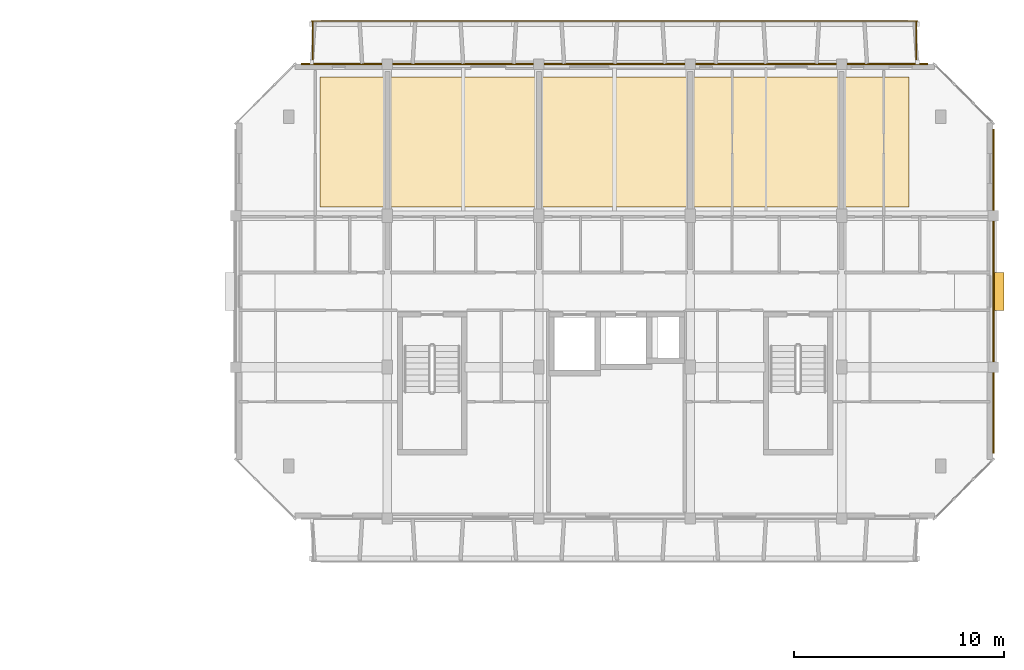
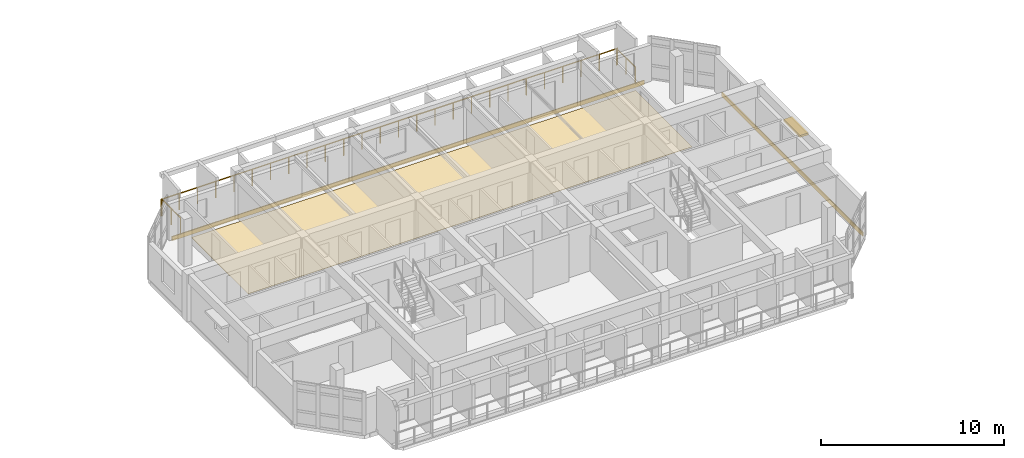
# One storey, part 45 of 45: 3 coverings, 3 railings, 1 shading device.
"""IFC4 building model written with IfcOpenShell, lengths in metres."""

from ifc_helpers import new_model, si_unit, direction, frame, origin, origin_2d, place, context, subcontext, project, spatial, polyline, rectangle, circle, outline, extrude, material, layer, layer_set, type_object, element, save


model = new_model("IFC4")

# Units and contexts
model_context = context("Model", 3, precision=1e-05, world=origin(), true_north=direction((0.0, 1.0)))
body_context = subcontext(model_context, "Body", "Model", "MODEL_VIEW")
ifc_project = project(units=[si_unit("LENGTHUNIT", "METRE"), si_unit("AREAUNIT", "SQUARE_METRE"), si_unit("VOLUMEUNIT", "CUBIC_METRE"), si_unit("PLANEANGLEUNIT", "RADIAN"), si_unit("MASSUNIT", "GRAM", prefix="KILO")], contexts=[model_context])

# Site, building, storey
site_placement = place(None, origin())
site = spatial("IfcSite", under=ifc_project, at=site_placement, CompositionType="ELEMENT")
building_placement = place(site_placement, origin())
building = spatial("IfcBuilding", under=site, at=building_placement, Name="Ochrevale Crest", CompositionType="ELEMENT")
storey_placement = place(building_placement, frame((0.0, 0.0, 18.14990234375)))
storey = spatial("IfcBuildingStorey", under=building, at=storey_placement, Name="L05", CompositionType="ELEMENT", Elevation=18.14990234375)

# Coverings
ifc_material_1 = material(Name="Glazed terracotta rainscreen tile", Category="masonry")
ifc_layer_1 = layer(ifc_material_1, 0.048095703125)
ifc_layer_set_1 = layer_set([ifc_layer_1], Name="Glazed terracotta rainscreen tile")
covering_type_1 = type_object("IfcCoveringType", Name="COV-CLAD-TER", PredefinedType="CLADDING", material=ifc_layer_set_1)
covering_1_placement = place(storey_placement, frame((165.614501953125, 82.800048828125, -0.259765625), z_axis=(0.0, 0.0, 1.0), x_axis=(0.0, 1.0, 0.0)))
element("IfcCovering", 1, at=covering_1_placement, inside=storey, type_object=covering_type_1, Name="Block D L05 terracotta slab-edge spandrel cladding", PredefinedType="CLADDING", context=body_context, shape_type="SweptSolid", body=[
    extrude(rectangle(XDim=15.39990234375, YDim=0.06005859375, at=origin_2d()), origin(), (0.0, 0.0, 1.0), 0.280029296875),
])
covering_2_placement = place(storey_placement, frame((147.60009765625, 93.612548828125, -0.259765625), z_axis=(0.0, 0.0, 1.0), x_axis=(-1.0, 0.0, 0.0)))
element("IfcCovering", 2, at=covering_2_placement, inside=storey, type_object=covering_type_1, Name="Block D L05 terracotta slab-edge spandrel cladding", PredefinedType="CLADDING", context=body_context, shape_type="SweptSolid", body=[
    extrude(rectangle(XDim=29.800048828125, YDim=0.06005859375, at=origin_2d()), origin(), (0.0, 0.0, 1.0), 0.280029296875),
])
ifc_material_2 = material(Name="Engineered spotted-gum hardwood flooring", Category="wood")
ifc_layer_2 = layer(ifc_material_2, 0.02001953125)
ifc_layer_set_2 = layer_set([ifc_layer_2], Name="Engineered spotted-gum hardwood flooring")
covering_type_2 = type_object("IfcCoveringType", Name="COV-FLR-TIM", PredefinedType="FLOORING", material=ifc_layer_set_2)
covering_3_placement = place(storey_placement, origin())
element("IfcCovering", 3, at=covering_3_placement, inside=storey, type_object=covering_type_2, Name="Block D L05 spotted-gum apartment flooring", PredefinedType="FLOORING", context=body_context, shape_type="SweptSolid", body=[
    extrude(outline(polyline([(133.60009765625, 86.800048828125), (161.60009765625, 86.800048828125), (161.60009765625, 93.0), (133.60009765625, 93.0), (133.60009765625, 86.800048828125)])), origin(), (0.0, 0.0, 1.0), 0.02001953125),
])

# Railings
ifc_material_3 = material(Name="Galvanised steel", Category="steel")
railing_type = type_object("IfcRailingType", Name="RL-BAL-1100", PredefinedType="BALUSTRADE", material=ifc_material_3)
railing_placement = place(storey_placement, frame((133.199951171875, 95.639892578125, 0.0)))
element("IfcRailing", 4, at=railing_placement, inside=storey, type_object=railing_type, Name="Block D L05 N balcony front balustrade", PredefinedType="BALUSTRADE", context=body_context, shape_type="SweptSolid", body=[
    extrude(circle(Radius=0.02392578125, at=origin_2d()), frame((0.0, 0.0, 1.0859375), z_axis=(1.0, 0.0, 0.0), x_axis=(0.0, 1.0, 0.0)), (0.0, 0.0, 1.0), 28.800048828125),
    extrude(circle(Radius=0.02099609375, at=origin_2d()), origin(), (0.0, 0.0, 1.0), 1.06201171875),
    extrude(circle(Radius=0.02099609375, at=origin_2d()), frame((1.152099609375, 0.0, 0.0)), (0.0, 0.0, 1.0), 1.06201171875),
    extrude(circle(Radius=0.02099609375, at=origin_2d()), frame((2.303955078125, 0.0, 0.0)), (0.0, 0.0, 1.0), 1.06201171875),
    extrude(circle(Radius=0.02099609375, at=origin_2d()), frame((3.4560546875, 0.0, 0.0)), (0.0, 0.0, 1.0), 1.06201171875),
    extrude(circle(Radius=0.02099609375, at=origin_2d()), frame((4.60791015625, 0.0, 0.0)), (0.0, 0.0, 1.0), 1.06201171875),
    extrude(circle(Radius=0.02099609375, at=origin_2d()), frame((5.760009765625, 0.0, 0.0)), (0.0, 0.0, 1.0), 1.06201171875),
    extrude(circle(Radius=0.02099609375, at=origin_2d()), frame((6.912109375, 0.0, 0.0)), (0.0, 0.0, 1.0), 1.06201171875),
    extrude(circle(Radius=0.02099609375, at=origin_2d()), frame((8.06396484375, 0.0, 0.0)), (0.0, 0.0, 1.0), 1.06201171875),
    extrude(circle(Radius=0.02099609375, at=origin_2d()), frame((9.216064453125, 0.0, 0.0)), (0.0, 0.0, 1.0), 1.06201171875),
    extrude(circle(Radius=0.02099609375, at=origin_2d()), frame((10.367919921875, 0.0, 0.0)), (0.0, 0.0, 1.0), 1.06201171875),
    extrude(circle(Radius=0.02099609375, at=origin_2d()), frame((11.52001953125, 0.0, 0.0)), (0.0, 0.0, 1.0), 1.06201171875),
    extrude(circle(Radius=0.02099609375, at=origin_2d()), frame((12.672119140625, 0.0, 0.0)), (0.0, 0.0, 1.0), 1.06201171875),
    extrude(circle(Radius=0.02099609375, at=origin_2d()), frame((13.823974609375, 0.0, 0.0)), (0.0, 0.0, 1.0), 1.06201171875),
    extrude(circle(Radius=0.02099609375, at=origin_2d()), frame((14.97607421875, 0.0, 0.0)), (0.0, 0.0, 1.0), 1.06201171875),
    extrude(circle(Radius=0.02099609375, at=origin_2d()), frame((16.1279296875, 0.0, 0.0)), (0.0, 0.0, 1.0), 1.06201171875),
    extrude(circle(Radius=0.02099609375, at=origin_2d()), frame((17.280029296875, 0.0, 0.0)), (0.0, 0.0, 1.0), 1.06201171875),
    extrude(circle(Radius=0.02099609375, at=origin_2d()), frame((18.43212890625, 0.0, 0.0)), (0.0, 0.0, 1.0), 1.06201171875),
    extrude(circle(Radius=0.02099609375, at=origin_2d()), frame((19.583984375, 0.0, 0.0)), (0.0, 0.0, 1.0), 1.06201171875),
    extrude(circle(Radius=0.02099609375, at=origin_2d()), frame((20.736083984375, 0.0, 0.0)), (0.0, 0.0, 1.0), 1.06201171875),
    extrude(circle(Radius=0.02099609375, at=origin_2d()), frame((21.887939453125, 0.0, 0.0)), (0.0, 0.0, 1.0), 1.06201171875),
    extrude(circle(Radius=0.02099609375, at=origin_2d()), frame((23.0400390625, 0.0, 0.0)), (0.0, 0.0, 1.0), 1.06201171875),
    extrude(circle(Radius=0.02099609375, at=origin_2d()), frame((24.192138671875, 0.0, 0.0)), (0.0, 0.0, 1.0), 1.06201171875),
    extrude(circle(Radius=0.02099609375, at=origin_2d()), frame((25.343994140625, 0.0, 0.0)), (0.0, 0.0, 1.0), 1.06201171875),
    extrude(circle(Radius=0.02099609375, at=origin_2d()), frame((26.49609375, 0.0, 0.0)), (0.0, 0.0, 1.0), 1.06201171875),
    extrude(circle(Radius=0.02099609375, at=origin_2d()), frame((27.64794921875, 0.0, 0.0)), (0.0, 0.0, 1.0), 1.06201171875),
    extrude(circle(Radius=0.02099609375, at=origin_2d()), frame((28.800048828125, 0.0, 0.0)), (0.0, 0.0, 1.0), 1.06201171875),
])
for number, where, name in (
    (5, (133.260009765625, 93.60009765625, 0.0), "Block D L05 N-W balcony side guard"),
    (6, (161.93994140625, 93.60009765625, 0.0), "Block D L05 N-E balcony side guard"),
):
    element("IfcRailing", number, at=place(storey_placement, frame(where)), inside=storey, type_object=railing_type, Name=name, PredefinedType="BALUSTRADE", context=body_context, shape_type="SweptSolid", body=[
        extrude(circle(Radius=0.02392578125, at=origin_2d()), frame((0.0, 0.0, 1.0859375), z_axis=(0.0, 1.0, 0.0), x_axis=(-1.0, 0.0, 0.0)), (0.0, 0.0, 1.0), 2.039794921875),
        extrude(circle(Radius=0.02099609375, at=origin_2d()), origin(), (0.0, 0.0, 1.0), 1.06201171875),
        extrude(circle(Radius=0.02099609375, at=origin_2d()), frame((0.0, 1.02001953125, 0.0)), (0.0, 0.0, 1.0), 1.06201171875),
        extrude(circle(Radius=0.02099609375, at=origin_2d()), frame((0.0, 2.039794921875, 0.0)), (0.0, 0.0, 1.0), 1.06201171875),
    ])

# Shading device
ifc_material_4 = material(Name="Anodised aluminium 6063-T5", Category="aluminium")
shading_device_type = type_object("IfcShadingDeviceType", Name="SHD-SUNSHADE-OC", PredefinedType="USERDEFINED", material=ifc_material_4)
shading_device_placement = place(storey_placement, frame((165.840087890625, 82.800048828125, 2.2099609375), z_axis=(0.0, 0.0, 1.0), x_axis=(1.0, 0.0, 0.0)))
element("IfcShadingDevice", 7, at=shading_device_placement, inside=storey, type_object=shading_device_type, Name="Block D L05 gable window sunshade E", ObjectType="HORIZONTAL SUNSHADE", PredefinedType="USERDEFINED", context=body_context, shape_type="SweptSolid", body=[
    extrude(rectangle(XDim=0.550048828125, YDim=1.800048828125, at=origin_2d()), origin(), (0.0, 0.0, 1.0), 0.139892578125),
])

save(model, "model.ifc")
